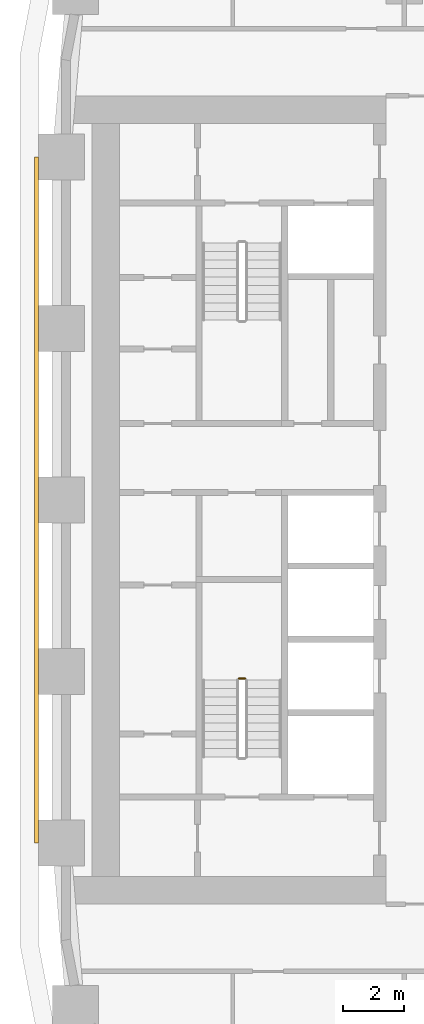
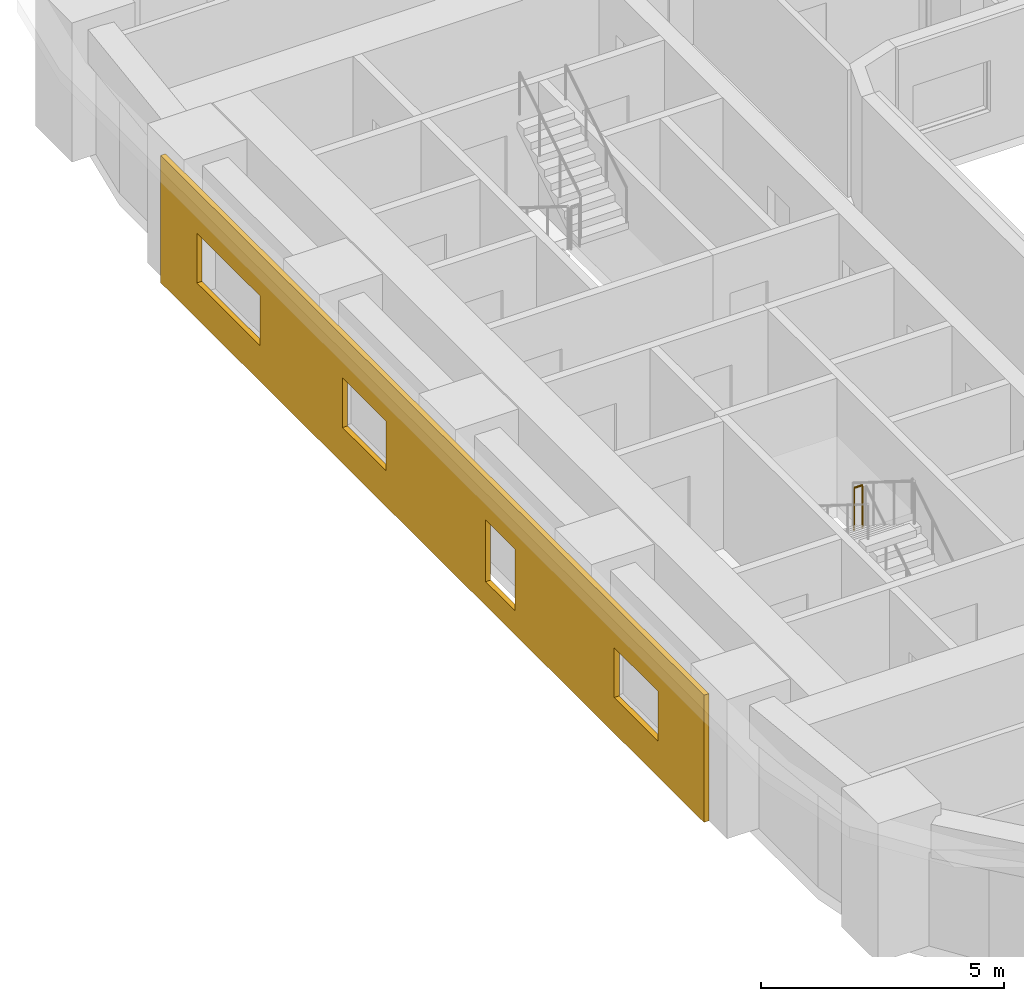
# One storey, part 13 of 22: 1 covering, 1 railing.
"""IFC4 building model written with IfcOpenShell, lengths in metres."""

from ifc_helpers import new_model, si_unit, direction, frame, origin, origin_2d, place, context, subcontext, project, spatial, polyline, circle, outline, extrude, material, layer, layer_set, type_object, element, save


model = new_model("IFC4")

# Units and contexts
model_context = context("Model", 3, precision=1e-05, world=origin(), true_north=direction((0.0, 1.0)))
body_context = subcontext(model_context, "Body", "Model", "MODEL_VIEW")
ifc_project = project(units=[si_unit("LENGTHUNIT", "METRE"), si_unit("AREAUNIT", "SQUARE_METRE"), si_unit("VOLUMEUNIT", "CUBIC_METRE"), si_unit("PLANEANGLEUNIT", "RADIAN"), si_unit("MASSUNIT", "GRAM", prefix="KILO")], contexts=[model_context])

# Site, building, storey
site_placement = place(None, origin())
site = spatial("IfcSite", under=ifc_project, at=site_placement, CompositionType="ELEMENT")
building_placement = place(site_placement, origin())
building = spatial("IfcBuilding", under=site, at=building_placement, Name="Kiln Ring Residences", CompositionType="ELEMENT")
storey_placement = place(building_placement, frame((0.0, 0.0, 44.5)))
storey = spatial("IfcBuildingStorey", under=building, at=storey_placement, Name="L10", CompositionType="ELEMENT", Elevation=44.5)

# Railing
ifc_material_1 = material(Name="Stainless steel", Category="steel")
railing_type = type_object("IfcRailingType", Name="CORE-STAIR-GUARD", PredefinedType="GUARDRAIL", material=ifc_material_1)
railing_placement = place(storey_placement, frame((-22.0, -5.830078125, 1.75)))
element("IfcRailing", 1, at=railing_placement, inside=storey, type_object=railing_type, Name="L10 W-STS stair guard 2", PredefinedType="GUARDRAIL", context=body_context, shape_type="SweptSolid", body=[
    extrude(circle(Radius=0.02392578125, at=origin_2d()), frame((0.0, 0.0, 1.076171875), z_axis=(-1.0, 0.0, 0.0), x_axis=(0.0, -1.0, 0.0)), (0.0, 0.0, 1.0), 0.199951171875),
    extrude(circle(Radius=0.02099609375, at=origin_2d()), origin(), (0.0, 0.0, 1.0), 1.052001953125),
    extrude(circle(Radius=0.02099609375, at=origin_2d()), frame((-0.199951171875, 0.0, 0.0)), (0.0, 0.0, 1.0), 1.052001953125),
])

# Covering
ifc_material_2 = material(Name="Brick masonry, dark clay brick", Category="masonry")
ifc_layer = layer(ifc_material_2, 0.1201171875)
ifc_layer_set = layer_set([ifc_layer], Name="RAINSCREEN PANEL 120")
covering_type = type_object("IfcCoveringType", Name="RAINSCREEN PANEL 120", PredefinedType="CLADDING", material=ifc_layer_set)
covering_placement = place(storey_placement, frame((-28.81005859375, 11.199951171875, 0.0), z_axis=(0.0, 0.0, 1.0), x_axis=(0.0, -1.0, 0.0)))
element("IfcCovering", 2, at=covering_placement, inside=storey, type_object=covering_type, Name="RAINSCREEN L10", PredefinedType="CLADDING", context=body_context, shape_type="SweptSolid", body=[
    extrude(outline(polyline([(0.0, 0.0), (22.39990234375, 0.0), (22.39990234375, 3.199951171875), (0.0, 3.199951171875), (0.0, 0.0)]), holes=[polyline([(14.60009765625, 0.60009765625), (14.60009765625, 2.14990234375), (13.39990234375, 2.14990234375), (13.39990234375, 0.60009765625), (14.60009765625, 0.60009765625)]), polyline([(4.10009765625, 0.89990234375), (4.10009765625, 2.14990234375), (1.5, 2.14990234375), (1.5, 0.89990234375), (4.10009765625, 0.89990234375)]), polyline([(9.300048828125, 0.89990234375), (9.300048828125, 2.14990234375), (7.5, 2.14990234375), (7.5, 0.89990234375), (9.300048828125, 0.89990234375)]), polyline([(20.5, 0.89990234375), (20.5, 2.14990234375), (18.699951171875, 2.14990234375), (18.699951171875, 0.89990234375), (20.5, 0.89990234375)])]), frame((0.0, 0.06005859375, 0.0), z_axis=(0.0, -1.0, 0.0), x_axis=(1.0, 0.0, 0.0)), (0.0, 0.0, 1.0), 0.1201171875),
])

save(model, "model.ifc")
